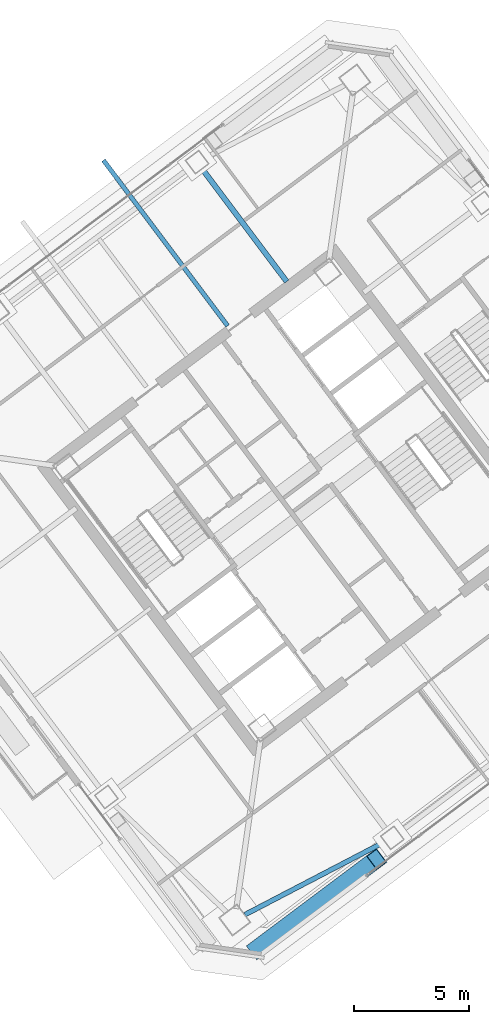
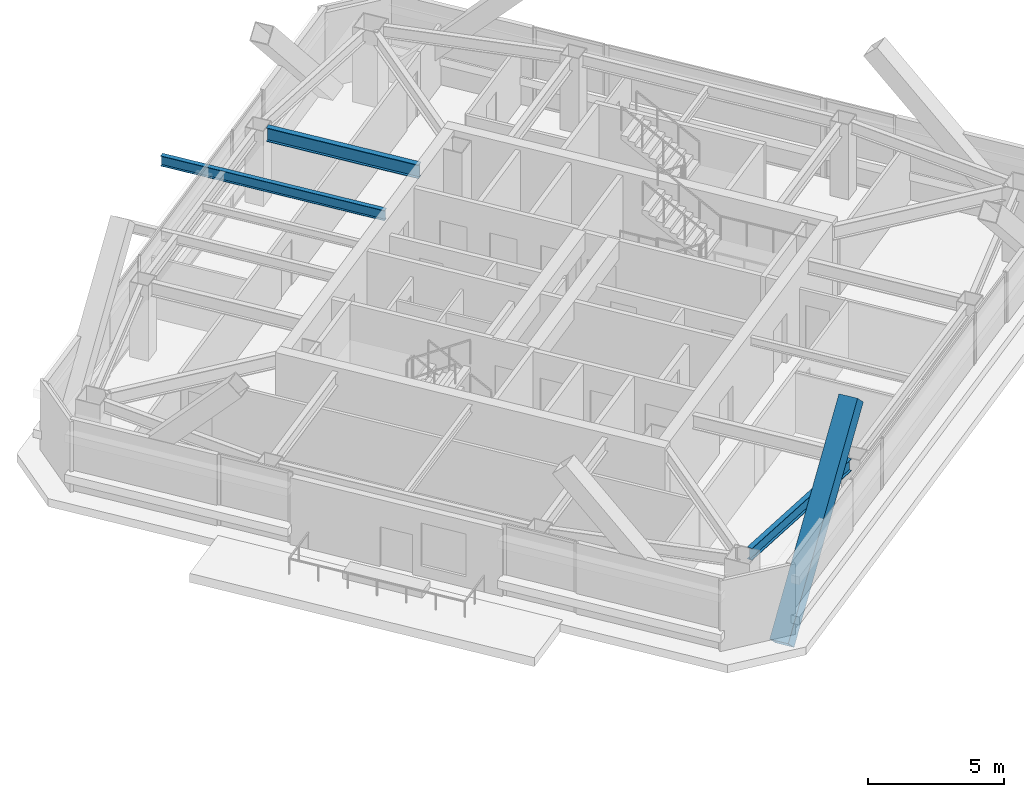
# One storey, part 21 of 39: 3 beams, 1 member.
"""IFC4 building model written with IfcOpenShell, lengths in metres."""

from ifc_helpers import new_model, si_unit, direction, frame, origin, origin_2d, place, context, subcontext, project, spatial, hollow_rectangle, i_section, extrude, material, material_profile, profile_set, type_object, element, save


model = new_model("IFC4")

# Units and contexts
model_context = context("Model", 3, precision=1e-05, world=origin(), true_north=direction((0.0, 1.0)))
body_context = subcontext(model_context, "Body", "Model", "MODEL_VIEW")
ifc_project = project(units=[si_unit("LENGTHUNIT", "METRE"), si_unit("AREAUNIT", "SQUARE_METRE"), si_unit("VOLUMEUNIT", "CUBIC_METRE"), si_unit("PLANEANGLEUNIT", "RADIAN"), si_unit("MASSUNIT", "GRAM", prefix="KILO")], contexts=[model_context])

# Site, building, storey
site_placement = place(None, origin())
site = spatial("IfcSite", under=ifc_project, at=site_placement, CompositionType="ELEMENT")
building_placement = place(site_placement, origin())
building = spatial("IfcBuilding", under=site, at=building_placement, Name="Tashvorn Skyway Center", CompositionType="ELEMENT")
storey_placement = place(building_placement, frame((0.0, 0.0, 232.60009765625)))
storey = spatial("IfcBuildingStorey", under=building, at=storey_placement, Name="L63", CompositionType="ELEMENT", Elevation=232.60009765625)

# Beams
ifc_material_1 = material(Name="Steel ASTM A992 Grade 50", Category="steel")
ifc_material_profile_1 = material_profile(ifc_material_1, i_section(OverallWidth=0.22998046875, OverallDepth=0.616943359375, WebThickness=0.01318359375, FlangeThickness=0.022216796875, at=origin_2d()), Name="W24X94")
ifc_profile_set_1 = profile_set([ifc_material_profile_1], Name="Steel ASTM A992 Grade 50")
beam_type_1 = type_object("IfcBeamType", Name="BM-BEAM-W24X94", PredefinedType="BEAM", material=ifc_profile_set_1)
beam_1_placement = place(storey_placement, frame((109.991943359375, 46.343994140625, 3.0615234375), z_axis=(0.600025614447, -0.799980788524, 0.0), x_axis=(0.799980788524, 0.600025614447, 0.0)))
element("IfcBeam", 1, at=beam_1_placement, inside=storey, type_object=beam_type_1, Name="Tower 2 L63 Primary Floor Girder FC-N1", PredefinedType="BEAM", context=body_context, shape_type="SweptSolid", body=[
    extrude(i_section(OverallWidth=0.22998046875, OverallDepth=0.616943359375, WebThickness=0.01318359375, FlangeThickness=0.022216796875, at=origin_2d()), origin(), (0.0, 0.0, 1.0), 6.10009765625),
])
ifc_material_profile_2 = material_profile(ifc_material_1, i_section(OverallWidth=0.19091796875, OverallDepth=0.4599609375, WebThickness=0.010009765625, FlangeThickness=0.01611328125, at=origin_2d()), Name="W18X55")
ifc_profile_set_2 = profile_set([ifc_material_profile_2], Name="Steel ASTM A992 Grade 50")
beam_type_2 = type_object("IfcBeamType", Name="BM-JOIST-W18X55", PredefinedType="JOIST", material=ifc_profile_set_2)
beam_2_placement = place(storey_placement, frame((111.092041015625, 39.5439453125, 3.139892578125), z_axis=(-0.600004354752, 0.799996733918, 0.0), x_axis=(-0.799996733918, -0.600004354752, 0.0)))
element("IfcBeam", 2, at=beam_2_placement, inside=storey, type_object=beam_type_2, Name="Tower 2 L64 Terrace Cantilever Outlooker 2", PredefinedType="JOIST", context=body_context, shape_type="SweptSolid", body=[
    extrude(i_section(OverallWidth=0.19091796875, OverallDepth=0.4599609375, WebThickness=0.010009765625, FlangeThickness=0.01611328125, at=origin_2d()), origin(), (0.0, 0.0, 1.0), 8.969970703125),
])
ifc_material_profile_3 = material_profile(ifc_material_1, i_section(OverallWidth=0.2109375, OverallDepth=0.5390625, WebThickness=0.01171875, FlangeThickness=0.018798828125, at=origin_2d()), Name="W21X73")
ifc_profile_set_3 = profile_set([ifc_material_profile_3], Name="Steel ASTM A992 Grade 50")
beam_type_3 = type_object("IfcBeamType", Name="BM-SPANDREL-W21X73", PredefinedType="SPANDREL", material=ifc_profile_set_3)
beam_3_placement = place(storey_placement, frame((111.8388671875, 14.02880859375, 3.100341796875), z_axis=(0.886773234579, 0.462204749472, 0.0), x_axis=(-0.462204749472, 0.886773234579, 0.0)))
element("IfcBeam", 3, at=beam_3_placement, inside=storey, type_object=beam_type_3, Name="Tower 2 L63 Spandrel Beam 01", PredefinedType="SPANDREL", context=body_context, shape_type="SweptSolid", body=[
    extrude(i_section(OverallWidth=0.2109375, OverallDepth=0.5390625, WebThickness=0.01171875, FlangeThickness=0.018798828125, at=origin_2d()), origin(), (0.0, 0.0, 1.0), 6.837158203125),
])

# Member
ifc_material_2 = material(Name="Steel ASTM A572 Grade 50", Category="steel")
ifc_material_profile_4 = material_profile(ifc_material_2, hollow_rectangle(XDim=0.75, YDim=0.75, WallThickness=0.031982421875, at=origin_2d()), Name="BOX750x750x32")
ifc_profile_set_4 = profile_set([ifc_material_profile_4], Name="Steel ASTM A572 Grade 50")
member_type = type_object("IfcMemberType", Name="MEM-MB-750", PredefinedType="BRACE", material=ifc_profile_set_4)
member_placement = place(storey_placement, frame((112.347900390625, 12.535888671875, -0.2001953125), z_axis=(0.550672257643, 0.413004193232, 0.725387896946), x_axis=(-0.6, 0.8, 0.0)))
element("IfcMember", 4, at=member_placement, inside=storey, type_object=member_type, Name="Tower 2 Zone 6 S Chevron Mega-Brace L1", PredefinedType="BRACE", context=body_context, shape_type="SweptSolid", body=[
    extrude(hollow_rectangle(XDim=0.75, YDim=0.75, WallThickness=0.031982421875, at=origin_2d()), origin(), (0.0, 0.0, 1.0), 9.443359375),
])

save(model, "model.ifc")
